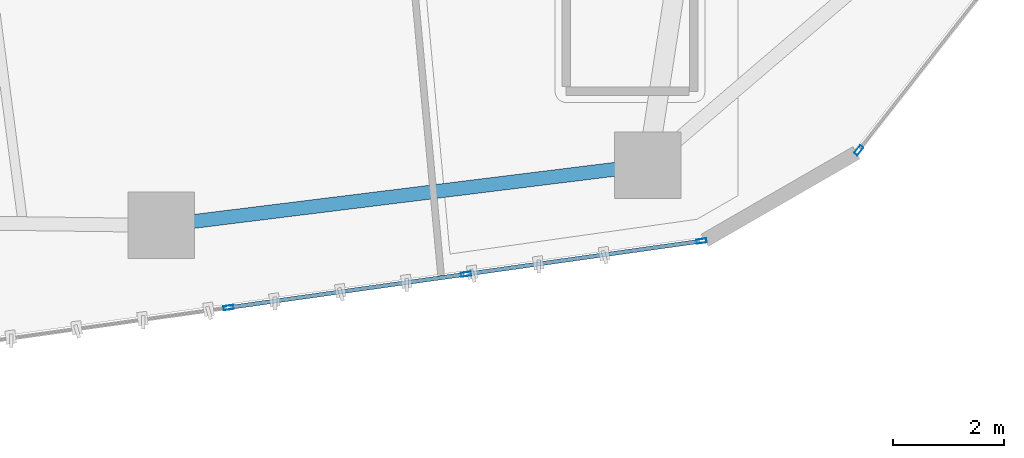
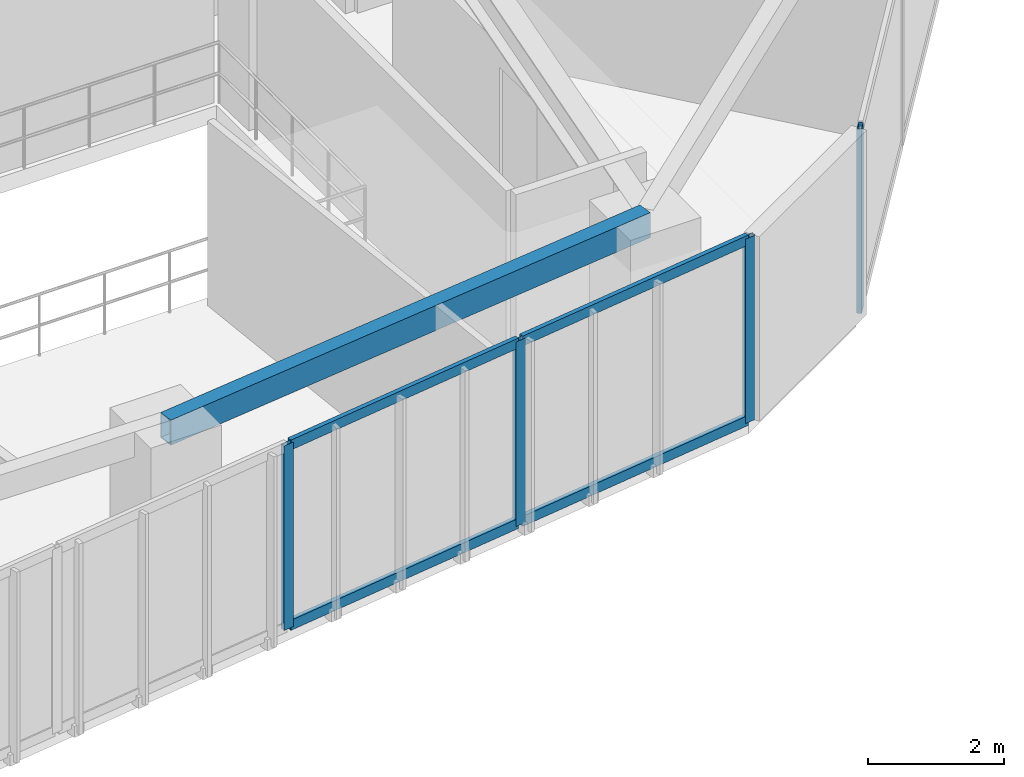
# One storey, part 6 of 24: 8 members, 1 beam, 2 elements without a shape of their own.
"""IFC4 building model written with IfcOpenShell, lengths in metres."""

from ifc_helpers import new_model, si_unit, direction, frame, origin, origin_2d, place, context, subcontext, project, spatial, hollow_rectangle, extrude, source, transform, mapped, material, layer, layer_set, material_profile, profile_set, type_object, type_shapes, element, aggregate, save


model = new_model("IFC4")

# Units and contexts
model_context = context("Model", 3, precision=1e-05, world=origin(), true_north=direction((0.0, 1.0)))
body_context = subcontext(model_context, "Body", "Model", "MODEL_VIEW")
ifc_project = project(units=[si_unit("LENGTHUNIT", "METRE"), si_unit("AREAUNIT", "SQUARE_METRE"), si_unit("VOLUMEUNIT", "CUBIC_METRE"), si_unit("PLANEANGLEUNIT", "RADIAN"), si_unit("MASSUNIT", "GRAM", prefix="KILO")], contexts=[model_context])

# Site, building, storey
site_placement = place(None, origin())
site = spatial("IfcSite", under=ifc_project, at=site_placement, CompositionType="ELEMENT")
building_placement = place(site_placement, origin())
building = spatial("IfcBuilding", under=site, at=building_placement, Name="Talar Marvaseh", CompositionType="ELEMENT")
storey_placement = place(building_placement, frame((0.0, 0.0, 114.60009765625)))
storey = spatial("IfcBuildingStorey", under=building, at=storey_placement, Name="L29", CompositionType="ELEMENT", Elevation=114.60009765625)

# Beam
ifc_material_1 = material(Name="Steel S355", Category="steel")
ifc_material_profile_1 = material_profile(ifc_material_1, hollow_rectangle(XDim=0.25, YDim=0.449951171875, WallThickness=0.01611328125, at=origin_2d()), Name="RHS450x250x16")
ifc_profile_set_1 = profile_set([ifc_material_profile_1], Name="Steel S355")
beam_type = type_object("IfcBeamType", Name="Zone 2 Perimeter Spandrel Beam RHS450x250x16", PredefinedType="SPANDREL", material=ifc_profile_set_1)
beam_placement = place(storey_placement, frame((31.570068359375, 14.26806640625, 3.0849609375), z_axis=(-0.992426007218, -0.122843885468, 0.0), x_axis=(0.122843885468, -0.992426007218, 0.0)))
element("IfcBeam", 1, at=beam_placement, inside=storey, type_object=beam_type, Name="L29 Zone 2 Perimeter Spandrel Beam RHS450x250x16", PredefinedType="SPANDREL", context=body_context, shape_type="SweptSolid", body=[
    extrude(hollow_rectangle(XDim=0.25, YDim=0.449951171875, WallThickness=0.01611328125, at=origin_2d()), origin(), (0.0, 0.0, 1.0), 8.83203125),
])

# Curtain wall, members
ifc_material_2 = material(Name="Architectural Aluminium", Category="aluminium")
ifc_layer = layer(ifc_material_2, 0.199951171875)
ifc_layer_set = layer_set([ifc_layer], Name="Architectural Aluminium")
curtain_wall_type = type_object("IfcCurtainWallType", Name="Unitised Acoustic Library Curtain Wall Z2", PredefinedType="NOTDEFINED", material=ifc_layer_set)
curtain_wall_1_placement = place(storey_placement, origin())
curtain_wall_1 = element("IfcCurtainWall", 2, at=curtain_wall_1_placement, inside=storey, type_object=curtain_wall_type, Name="L29 Unitised Acoustic Library Curtain Wall Z2", PredefinedType="NOTDEFINED")
ifc_material_profile_2 = material_profile(ifc_material_2, hollow_rectangle(XDim=0.074951171875, YDim=0.179931640625, WallThickness=0.0048828125, at=origin_2d()), Name="RHS180x75x5")
ifc_profile_set_2 = profile_set([ifc_material_profile_2], Name="Architectural Aluminium")
member_type_1 = type_object("IfcMemberType", Name="Unitised Curtain Wall Transom RHS180x75x5", PredefinedType="USERDEFINED", material=ifc_profile_set_2)
shared_shape_1 = source(origin(), body_context, "Body", "SweptSolid", [
    extrude(hollow_rectangle(XDim=0.074951171875, YDim=0.179931640625, WallThickness=0.0048828125, at=origin_2d()), origin(), (0.0, 0.0, 1.0), 4.2109375),
])
member_1_placement = place(storey_placement, frame((32.503173828125, 12.89697265625, 0.037353515625), z_axis=(-0.990247582491, -0.139318790441, 0.0), x_axis=(0.139318790441, -0.990247582491, 0.0)))
member_1 = element("IfcMember", 3, at=member_1_placement, type_object=member_type_1, Name="CW-Z2 transom 1.1", ObjectType="TRANSOM", PredefinedType="USERDEFINED", context=body_context, shape_type="MappedRepresentation", body=[
    mapped(shared_shape_1, transform((0.0, 0.0, 0.0), x_axis=(1.0, 0.0, 0.0), y_axis=(0.0, 1.0, 0.0), z_axis=(0.0, 0.0, 1.0), scale=1.0)),
])
member_2_placement = place(storey_placement, frame((32.503173828125, 12.89697265625, 3.2724609375), z_axis=(-0.990247582491, -0.139318790441, 0.0), x_axis=(0.139318790441, -0.990247582491, 0.0)))
member_2 = element("IfcMember", 4, at=member_2_placement, type_object=member_type_1, Name="CW-Z2 transom 1.2", ObjectType="TRANSOM", PredefinedType="USERDEFINED", context=body_context, shape_type="MappedRepresentation", body=[
    mapped(shared_shape_1, transform((0.0, 0.0, 0.0), x_axis=(1.0, 0.0, 0.0), y_axis=(0.0, 1.0, 0.0), z_axis=(0.0, 0.0, 1.0), scale=1.0)),
])
shared_shape_2 = source(origin(), body_context, "Body", "SweptSolid", [
    extrude(hollow_rectangle(XDim=0.074951171875, YDim=0.179931640625, WallThickness=0.0048828125, at=origin_2d()), origin(), (0.0, 0.0, 1.0), 4.248779296875),
])
type_shapes(member_type_1, [shared_shape_1, shared_shape_2])
member_3_placement = place(storey_placement, frame((28.259033203125, 12.2998046875, 0.037353515625), z_axis=(-0.990251749574, -0.139289168512, 0.0), x_axis=(0.139289168512, -0.990251749574, 0.0)))
member_3 = element("IfcMember", 5, at=member_3_placement, type_object=member_type_1, Name="CW-Z2 transom 2.1", ObjectType="TRANSOM", PredefinedType="USERDEFINED", context=body_context, shape_type="MappedRepresentation", body=[
    mapped(shared_shape_2, transform((0.0, 0.0, 0.0), x_axis=(1.0, 0.0, 0.0), y_axis=(0.0, 1.0, 0.0), z_axis=(0.0, 0.0, 1.0), scale=1.0)),
])
member_4_placement = place(storey_placement, frame((28.259033203125, 12.2998046875, 3.2724609375), z_axis=(-0.990251749574, -0.139289168512, 0.0), x_axis=(0.139289168512, -0.990251749574, 0.0)))
member_4 = element("IfcMember", 6, at=member_4_placement, type_object=member_type_1, Name="CW-Z2 transom 2.2", ObjectType="TRANSOM", PredefinedType="USERDEFINED", context=body_context, shape_type="MappedRepresentation", body=[
    mapped(shared_shape_2, transform((0.0, 0.0, 0.0), x_axis=(1.0, 0.0, 0.0), y_axis=(0.0, 1.0, 0.0), z_axis=(0.0, 0.0, 1.0), scale=1.0)),
])

# Curtain wall, member
curtain_wall_2_placement = place(storey_placement, origin())
curtain_wall_2 = element("IfcCurtainWall", 7, at=curtain_wall_2_placement, inside=storey, type_object=curtain_wall_type, Name="L29 Unitised Acoustic Library Curtain Wall Z2", PredefinedType="NOTDEFINED")
ifc_material_profile_3 = material_profile(ifc_material_2, hollow_rectangle(XDim=0.074951171875, YDim=0.179931640625, WallThickness=0.0048828125, at=origin_2d()), Name="RHS180x75x5")
ifc_profile_set_3 = profile_set([ifc_material_profile_3], Name="Architectural Aluminium")
member_type_2 = type_object("IfcMemberType", Name="Unitised Curtain Wall Standard Mullion RHS180x75x5", PredefinedType="MULLION", material=ifc_profile_set_3)
shared_shape_3 = source(origin(), body_context, "Body", "SweptSolid", [
    extrude(hollow_rectangle(XDim=0.074951171875, YDim=0.179931640625, WallThickness=0.0048828125, at=origin_2d()), origin(), (0.0, 0.0, 1.0), 3.309814453125),
])
type_shapes(member_type_2, [shared_shape_3])
member_5_placement = place(storey_placement, frame((35.371826171875, 14.537109375, 0.0), z_axis=(0.0, 0.0, 1.0), x_axis=(0.787915588134, -0.615783262175, 0.0)))
member_5 = element("IfcMember", 8, at=member_5_placement, type_object=member_type_2, Name="CW-Z2 mullion 6", PredefinedType="MULLION", context=body_context, shape_type="MappedRepresentation", body=[
    mapped(shared_shape_3, transform((0.0, 0.0, 0.0), x_axis=(1.0, 0.0, 0.0), y_axis=(0.0, 1.0, 0.0), z_axis=(0.0, 0.0, 1.0), scale=1.0)),
])
aggregate(curtain_wall_2, [member_5])

# Member
member_6_placement = place(storey_placement, frame((32.540283203125, 12.90234375, 0.0), z_axis=(0.0, 0.0, 1.0), x_axis=(0.139325353633, -0.990246659088, 0.0)))
member_6 = element("IfcMember", 9, at=member_6_placement, type_object=member_type_2, Name="CW-Z2 mullion 1", PredefinedType="MULLION", context=body_context, shape_type="MappedRepresentation", body=[
    mapped(shared_shape_3, transform((0.0, 0.0, 0.0), x_axis=(1.0, 0.0, 0.0), y_axis=(0.0, 1.0, 0.0), z_axis=(0.0, 0.0, 1.0), scale=1.0)),
])

member_7_placement = place(storey_placement, frame((28.296142578125, 12.30517578125, 0.0), z_axis=(0.0, 0.0, 1.0), x_axis=(0.139325353633, -0.990246659088, 0.0)))
member_7 = element("IfcMember", 10, at=member_7_placement, type_object=member_type_2, Name="CW-Z2 mullion 2", PredefinedType="MULLION", context=body_context, shape_type="MappedRepresentation", body=[
    mapped(shared_shape_3, transform((0.0, 0.0, 0.0), x_axis=(1.0, 0.0, 0.0), y_axis=(0.0, 1.0, 0.0), z_axis=(0.0, 0.0, 1.0), scale=1.0)),
])

member_8_placement = place(storey_placement, frame((24.0146484375, 11.70263671875, 0.0), z_axis=(0.0, 0.0, 1.0), x_axis=(0.139325353633, -0.990246659088, 0.0)))
member_8 = element("IfcMember", 11, at=member_8_placement, type_object=member_type_2, Name="CW-Z2 mullion 3", PredefinedType="MULLION", context=body_context, shape_type="MappedRepresentation", body=[
    mapped(shared_shape_3, transform((0.0, 0.0, 0.0), x_axis=(1.0, 0.0, 0.0), y_axis=(0.0, 1.0, 0.0), z_axis=(0.0, 0.0, 1.0), scale=1.0)),
])

aggregate(curtain_wall_1, [member_6, member_7, member_8, member_1, member_2, member_3, member_4])

save(model, "model.ifc")
